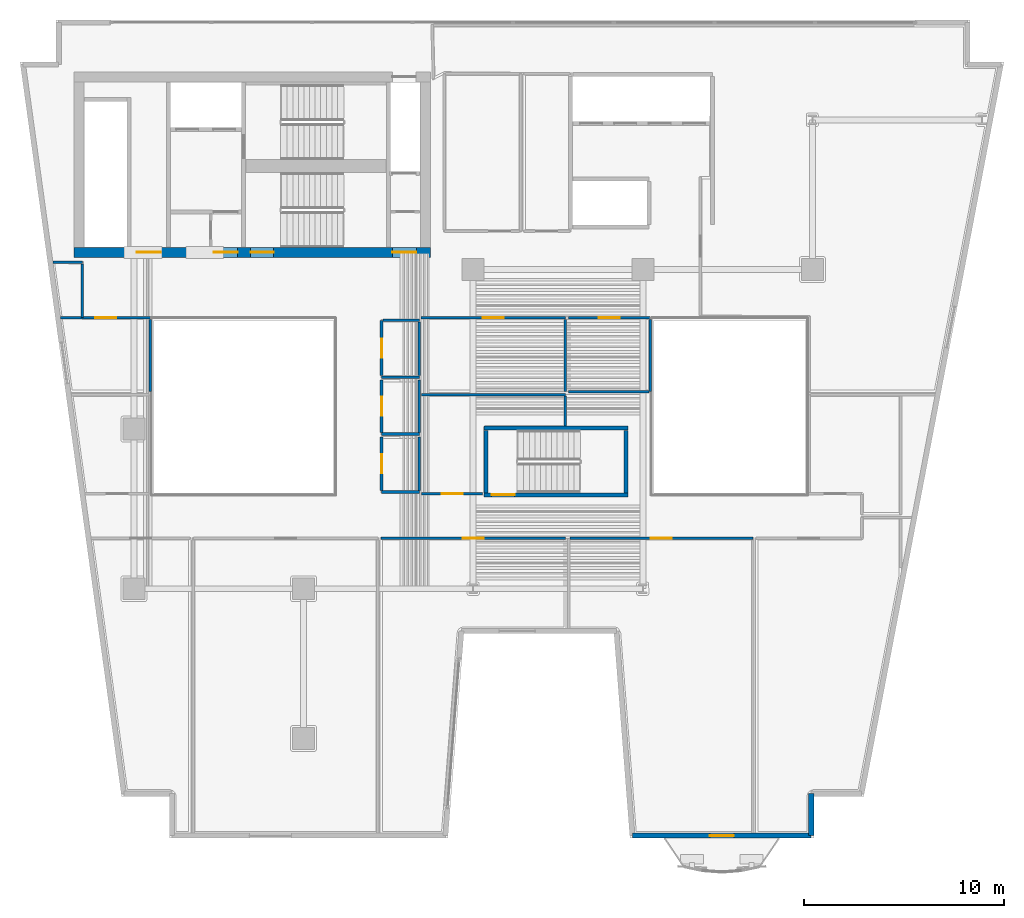
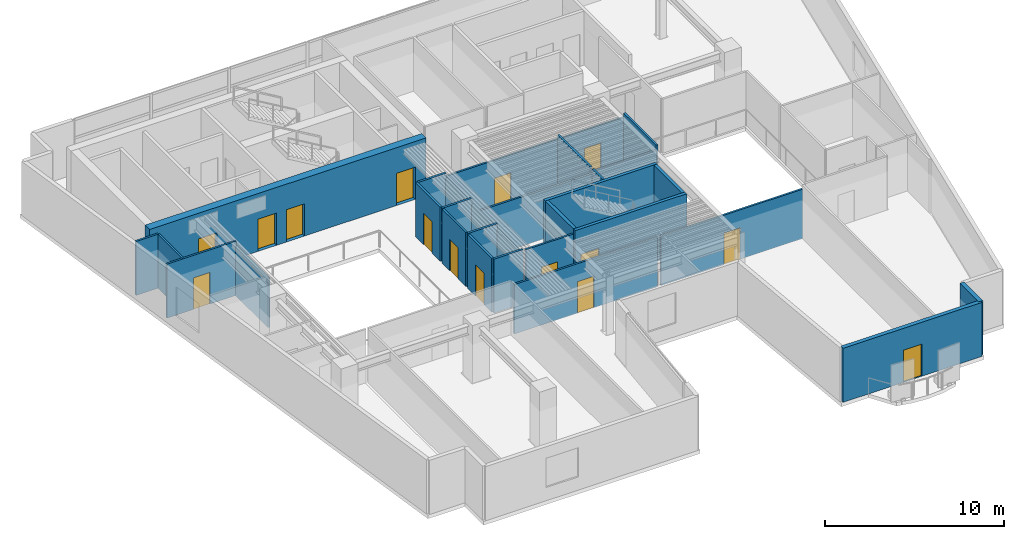
# One storey, part 6 of 13: 31 walls, 15 doors, 15 openings.
"""IFC4 building model written with IfcOpenShell, lengths in metres."""

from ifc_helpers import new_model, si_unit, direction, frame, frame_2d, origin, place, context, subcontext, project, spatial, rectangle, extrude, material, layer, layer_set, type_object, element, fill, save


model = new_model("IFC4")

# Units and contexts
model_context = context("Model", 3, precision=1e-05, world=origin(), true_north=direction((0.0, 1.0)))
body_context = subcontext(model_context, "Body", "Model", "MODEL_VIEW")
ifc_project = project(units=[si_unit("LENGTHUNIT", "METRE"), si_unit("AREAUNIT", "SQUARE_METRE"), si_unit("VOLUMEUNIT", "CUBIC_METRE"), si_unit("PLANEANGLEUNIT", "RADIAN"), si_unit("MASSUNIT", "GRAM", prefix="KILO")], contexts=[model_context])

# Site, building, storey
site_placement = place(None, origin())
site = spatial("IfcSite", under=ifc_project, at=site_placement, CompositionType="ELEMENT")
building_placement = place(site_placement, origin())
building = spatial("IfcBuilding", under=site, at=building_placement, Name="Caeloran Harvest Quay", CompositionType="ELEMENT")
storey_placement = place(building_placement, frame((0.0, 0.0, 158.800048828125)))
storey = spatial("IfcBuildingStorey", under=building, at=storey_placement, Name="L37", CompositionType="ELEMENT", Elevation=158.800048828125)

# Wall
ifc_material_1 = material(Name="Precast concrete C50/60", Category="concrete")
ifc_layer_1 = layer(ifc_material_1, 0.260009765625, Name="Precast concrete C50/60")
ifc_layer_set_1 = layer_set([ifc_layer_1], Name="Precast concrete C50/60")
wall_type_1 = type_object("IfcWallType", Name="ENV-WALL-EW-260", PredefinedType="STANDARD", material=ifc_layer_set_1)
wall_1_placement = place(storey_placement, frame((42.43994140625, 4.72998046875, 0.0), z_axis=(0.0, 0.0, 1.0), x_axis=(0.0, -1.0, 0.0)))
element("IfcWall", 1, at=wall_1_placement, inside=storey, type_object=wall_type_1, Name="L37 Exterior Precast Concrete Facade Wall 11", PredefinedType="STANDARD", context=body_context, shape_type="SweptSolid", body=[
    extrude(rectangle(XDim=2.10009765625, YDim=0.260009765625, at=frame_2d((1.050048828125, 0.0))), origin(), (0.0, 0.0, 1.0), 3.68994140625),
])

# Wall, opening, door
wall_2_placement = place(storey_placement, frame((42.43994140625, 2.6298828125, 0.0), z_axis=(0.0, 0.0, 1.0), x_axis=(-1.0, 0.0, 0.0)))
wall_2 = element("IfcWall", 2, at=wall_2_placement, inside=storey, type_object=wall_type_1, Name="L37 Exterior Precast Concrete Facade Wall 12", PredefinedType="STANDARD", context=body_context, shape_type="SweptSolid", body=[
    extrude(rectangle(XDim=8.96484375, YDim=0.260009765625, at=frame_2d((4.482421875, 0.0))), origin(), (0.0, 0.0, 1.0), 3.68994140625),
])
opening_1_placement = place(wall_2_placement, frame((3.882080078125, 0.0, 0.0)))
opening_1 = element("IfcOpeningElement", 3, at=opening_1_placement, cuts=wall_2, Name="Opening BD-01", PredefinedType="OPENING", context=body_context, shape_type="SweptSolid", body=[
    extrude(rectangle(XDim=1.199951171875, YDim=2.199951171875, at=frame_2d((0.60009765625, 1.10009765625))), frame((0.0, 0.14013671875, 0.0), z_axis=(0.0, -1.0, 0.0), x_axis=(1.0, 0.0, 0.0)), (0.0, 0.0, 1.0), 0.280029296875),
])
ifc_material_2 = material(Name="Thermally Broken Powder-Coated Aluminium and Safety Glass", Category="aluminium")
door_type_1 = type_object("IfcDoorType", Name="EXTDOOR-BD-01", OperationType="NOTDEFINED", PredefinedType="DOOR", material=ifc_material_2)
door_1_placement = place(opening_1_placement, origin())
door_1 = element("IfcDoor", 4, at=door_1_placement, inside=storey, type_object=door_type_1, Name="L37 Planted Balcony Glazed Access Door", OperationType="SINGLE_SWING_RIGHT", OverallHeight=2.199951171875, OverallWidth=1.199951171875, PredefinedType="DOOR", context=body_context, shape_type="SweptSolid", body=[
    extrude(rectangle(XDim=1.199951171875, YDim=2.199951171875, at=frame_2d((0.60009765625, 1.10009765625))), frame((0.0, 0.02490234375, 0.0), z_axis=(0.0, -1.0, 0.0), x_axis=(1.0, 0.0, 0.0)), (0.0, 0.0, 1.0), 0.050048828125),
])
fill(opening_1, door_1)

ifc_material_3 = material(Name="Twin-Stud Mineral-Wool Acoustic Gypsum Partition", Category="gypsum")
ifc_layer_2 = layer(ifc_material_3, 0.125, Name="Twin-Stud Mineral-Wool Acoustic Gypsum Partition")
ifc_layer_set_2 = layer_set([ifc_layer_2], Name="Twin-Stud Mineral-Wool Acoustic Gypsum Partition")
wall_type_2 = type_object("IfcWallType", Name="INT-WALL-PW-125", PredefinedType="PARTITIONING", material=ifc_layer_set_2)
wall_3_placement = place(storey_placement, frame((30.347412109375, 17.52001953125, 0.0), z_axis=(0.0, 0.0, 1.0), x_axis=(1.0, 0.0, 0.0)))
wall_3 = element("IfcWall", 5, at=wall_3_placement, inside=storey, type_object=wall_type_2, Name="Carbon Credit Seminar Room Partition Wall", PredefinedType="PARTITIONING", context=body_context, shape_type="SweptSolid", body=[
    extrude(rectangle(XDim=9.172607421875, YDim=0.125, at=frame_2d((4.58642578125, 0.0))), origin(), (0.0, 0.0, 1.0), 3.375),
])
opening_2_placement = place(wall_3_placement, frame((4.061279296875, 0.0, 0.0)))
opening_2 = element("IfcOpeningElement", 6, at=opening_2_placement, cuts=wall_3, Name="Opening ID-03", PredefinedType="OPENING", context=body_context, shape_type="SweptSolid", body=[
    extrude(rectangle(XDim=1.050048828125, YDim=2.14990234375, at=frame_2d((0.52490234375, 1.074951171875))), frame((0.0, 0.072509765625, 0.0), z_axis=(0.0, -1.0, 0.0), x_axis=(1.0, 0.0, 0.0)), (0.0, 0.0, 1.0), 0.14501953125),
])
ifc_material_4 = material(Name="FSC Solid-Core Oak Timber Leaf", Category="wood")
door_type_2 = type_object("IfcDoorType", Name="INTDOOR-ID-03", OperationType="NOTDEFINED", PredefinedType="DOOR", material=ifc_material_4)
door_2_placement = place(opening_2_placement, origin())
door_2 = element("IfcDoor", 7, at=door_2_placement, inside=storey, type_object=door_type_2, Name="Carbon Credit Seminar Room Access Door", OperationType="SINGLE_SWING_RIGHT", OverallHeight=2.14990234375, OverallWidth=1.050048828125, PredefinedType="DOOR", context=body_context, shape_type="SweptSolid", body=[
    extrude(rectangle(XDim=1.050048828125, YDim=2.14990234375, at=frame_2d((0.52490234375, 1.074951171875))), frame((0.0, 0.02490234375, 0.0), z_axis=(0.0, -1.0, 0.0), x_axis=(1.0, 0.0, 0.0)), (0.0, 0.0, 1.0), 0.050048828125),
])
fill(opening_2, door_2)

wall_4_placement = place(storey_placement, frame((20.8798828125, 17.52001953125, 0.0), z_axis=(0.0, 0.0, 1.0), x_axis=(1.0, 0.0, 0.0)))
wall_4 = element("IfcWall", 8, at=wall_4_placement, inside=storey, type_object=wall_type_2, Name="Hospitality Catering Kitchen Partition Wall", PredefinedType="PARTITIONING", context=body_context, shape_type="SweptSolid", body=[
    extrude(rectangle(XDim=9.240234375, YDim=0.125, at=frame_2d((4.6201171875, 0.0))), origin(), (0.0, 0.0, 1.0), 3.375),
])
opening_3_placement = place(wall_4_placement, frame((4.094970703125, 0.0, 0.0)))
opening_3 = element("IfcOpeningElement", 9, at=opening_3_placement, cuts=wall_4, Name="Opening ID-03", PredefinedType="OPENING", context=body_context, shape_type="SweptSolid", body=[
    extrude(rectangle(XDim=1.050048828125, YDim=2.14990234375, at=frame_2d((0.52490234375, 1.074951171875))), frame((0.0, 0.072509765625, 0.0), z_axis=(0.0, -1.0, 0.0), x_axis=(1.0, 0.0, 0.0)), (0.0, 0.0, 1.0), 0.14501953125),
])
door_3_placement = place(opening_3_placement, origin())
door_3 = element("IfcDoor", 10, at=door_3_placement, inside=storey, type_object=door_type_2, Name="Hospitality Catering Kitchen Access Door", OperationType="SINGLE_SWING_LEFT", OverallHeight=2.14990234375, OverallWidth=1.050048828125, PredefinedType="DOOR", context=body_context, shape_type="SweptSolid", body=[
    extrude(rectangle(XDim=1.050048828125, YDim=2.14990234375, at=frame_2d((0.52490234375, 1.074951171875))), frame((0.0, 0.02490234375, 0.0), z_axis=(0.0, -1.0, 0.0), x_axis=(1.0, 0.0, 0.0)), (0.0, 0.0, 1.0), 0.050048828125),
])
fill(opening_3, door_3)

wall_5_placement = place(storey_placement, frame((25.9755859375, 19.75, 0.0), z_axis=(0.0, 0.0, 1.0), x_axis=(-1.0, 0.0, 0.0)))
wall_5 = element("IfcWall", 11, at=wall_5_placement, inside=storey, type_object=wall_type_2, Name="Agro-Finance Summit Conference Hall 8 Partition Wall", PredefinedType="PARTITIONING", context=body_context, shape_type="SweptSolid", body=[
    extrude(rectangle(XDim=3.065673828125, YDim=0.125, at=frame_2d((1.53271484375, 0.0))), origin(), (0.0, 0.0, 1.0), 3.68994140625),
])
opening_4_placement = place(wall_5_placement, frame((1.0078125, 0.0, 0.0)))
opening_4 = element("IfcOpeningElement", 12, at=opening_4_placement, cuts=wall_5, Name="Opening ID-03", PredefinedType="OPENING", context=body_context, shape_type="SweptSolid", body=[
    extrude(rectangle(XDim=1.050048828125, YDim=2.14990234375, at=frame_2d((0.52490234375, 1.074951171875))), frame((0.0, 0.072509765625, 0.0), z_axis=(0.0, -1.0, 0.0), x_axis=(1.0, 0.0, 0.0)), (0.0, 0.0, 1.0), 0.14501953125),
])
door_4_placement = place(opening_4_placement, origin())
door_4 = element("IfcDoor", 13, at=door_4_placement, inside=storey, type_object=door_type_2, Name="Agro-Finance Summit Conference Hall 8 Access Door", OperationType="SINGLE_SWING_RIGHT", OverallHeight=2.14990234375, OverallWidth=1.050048828125, PredefinedType="DOOR", context=body_context, shape_type="SweptSolid", body=[
    extrude(rectangle(XDim=1.050048828125, YDim=2.14990234375, at=frame_2d((0.52490234375, 1.074951171875))), frame((0.0, 0.02490234375, 0.0), z_axis=(0.0, -1.0, 0.0), x_axis=(1.0, 0.0, 0.0)), (0.0, 0.0, 1.0), 0.050048828125),
])
fill(opening_4, door_4)

# Walls
wall_6_placement = place(storey_placement, frame((22.909912109375, 24.719970703125, 0.0), z_axis=(0.0, 0.0, 1.0), x_axis=(1.0, 0.0, 0.0)))
element("IfcWall", 14, at=wall_6_placement, inside=storey, type_object=wall_type_2, Name="Agro-Finance Summit Conference Hall 8 Partition Wall", PredefinedType="PARTITIONING", context=body_context, shape_type="SweptSolid", body=[
    extrude(rectangle(XDim=7.210205078125, YDim=0.125, at=frame_2d((3.60498046875, 0.0))), origin(), (0.0, 0.0, 1.0), 3.375),
])
wall_7_placement = place(storey_placement, frame((30.1201171875, 24.652587890625, 0.0), z_axis=(0.0, 0.0, 1.0), x_axis=(0.0, -1.0, 0.0)))
element("IfcWall", 15, at=wall_7_placement, inside=storey, type_object=wall_type_2, Name="Agro-Finance Summit Conference Hall 8 Partition Wall", PredefinedType="PARTITIONING", context=body_context, shape_type="SweptSolid", body=[
    extrude(rectangle(XDim=1.49755859375, YDim=0.125, at=frame_2d((0.748779296875, 0.0))), origin(), (0.0, 0.0, 1.0), 3.68994140625),
])

# Wall, opening, door
wall_8_placement = place(storey_placement, frame((22.889892578125, 28.570068359375, 0.0), z_axis=(0.0, 0.0, 1.0), x_axis=(1.0, 0.0, 0.0)))
wall_8 = element("IfcWall", 16, at=wall_8_placement, inside=storey, type_object=wall_type_2, Name="Carbon Credit Seminar Room 9 Partition Wall", PredefinedType="PARTITIONING", context=body_context, shape_type="SweptSolid", body=[
    extrude(rectangle(XDim=7.230224609375, YDim=0.125, at=frame_2d((3.615234375, 0.0))), origin(), (0.0, 0.0, 1.0), 3.375),
])
opening_5_placement = place(wall_8_placement, frame((3.090087890625, 0.0, 0.0)))
opening_5 = element("IfcOpeningElement", 17, at=opening_5_placement, cuts=wall_8, Name="Opening ID-03", PredefinedType="OPENING", context=body_context, shape_type="SweptSolid", body=[
    extrude(rectangle(XDim=1.050048828125, YDim=2.14990234375, at=frame_2d((0.52490234375, 1.074951171875))), frame((0.0, 0.072509765625, 0.0), z_axis=(0.0, -1.0, 0.0), x_axis=(1.0, 0.0, 0.0)), (0.0, 0.0, 1.0), 0.14501953125),
])
door_5_placement = place(opening_5_placement, origin())
door_5 = element("IfcDoor", 18, at=door_5_placement, inside=storey, type_object=door_type_2, Name="Carbon Credit Seminar Room 9 Access Door", OperationType="SINGLE_SWING_LEFT", OverallHeight=2.14990234375, OverallWidth=1.050048828125, PredefinedType="DOOR", context=body_context, shape_type="SweptSolid", body=[
    extrude(rectangle(XDim=1.050048828125, YDim=2.14990234375, at=frame_2d((0.52490234375, 1.074951171875))), frame((0.0, 0.02490234375, 0.0), z_axis=(0.0, -1.0, 0.0), x_axis=(1.0, 0.0, 0.0)), (0.0, 0.0, 1.0), 0.050048828125),
])
fill(opening_5, door_5)

# Wall
wall_9_placement = place(storey_placement, frame((30.1201171875, 28.50244140625, 0.0), z_axis=(0.0, 0.0, 1.0), x_axis=(0.0, -1.0, 0.0)))
element("IfcWall", 19, at=wall_9_placement, inside=storey, type_object=wall_type_2, Name="Carbon Credit Seminar Room 9 Partition Wall", PredefinedType="PARTITIONING", context=body_context, shape_type="SweptSolid", body=[
    extrude(rectangle(XDim=3.62255859375, YDim=0.125, at=frame_2d((1.811279296875, 0.0))), origin(), (0.0, 0.0, 1.0), 3.68994140625),
])

# Wall, opening, door
wall_10_placement = place(storey_placement, frame((30.280029296875, 28.570068359375, 0.0), z_axis=(0.0, 0.0, 1.0), x_axis=(1.0, 0.0, 0.0)))
wall_10 = element("IfcWall", 20, at=wall_10_placement, inside=storey, type_object=wall_type_2, Name="Commodities Briefing Boardroom 10 Partition Wall", PredefinedType="PARTITIONING", context=body_context, shape_type="SweptSolid", body=[
    extrude(rectangle(XDim=4.090087890625, YDim=0.125, at=frame_2d((2.044921875, 0.0))), origin(), (0.0, 0.0, 1.0), 3.375),
])
opening_6_placement = place(wall_10_placement, frame((1.52001953125, 0.0, 0.0)))
opening_6 = element("IfcOpeningElement", 21, at=opening_6_placement, cuts=wall_10, Name="Opening ID-03", PredefinedType="OPENING", context=body_context, shape_type="SweptSolid", body=[
    extrude(rectangle(XDim=1.050048828125, YDim=2.14990234375, at=frame_2d((0.52490234375, 1.074951171875))), frame((0.0, 0.072509765625, 0.0), z_axis=(0.0, -1.0, 0.0), x_axis=(1.0, 0.0, 0.0)), (0.0, 0.0, 1.0), 0.14501953125),
])
door_6_placement = place(opening_6_placement, origin())
door_6 = element("IfcDoor", 22, at=door_6_placement, inside=storey, type_object=door_type_2, Name="Commodities Briefing Boardroom 10 Access Door", OperationType="SINGLE_SWING_RIGHT", OverallHeight=2.14990234375, OverallWidth=1.050048828125, PredefinedType="DOOR", context=body_context, shape_type="SweptSolid", body=[
    extrude(rectangle(XDim=1.050048828125, YDim=2.14990234375, at=frame_2d((0.52490234375, 1.074951171875))), frame((0.0, 0.02490234375, 0.0), z_axis=(0.0, -1.0, 0.0), x_axis=(1.0, 0.0, 0.0)), (0.0, 0.0, 1.0), 0.050048828125),
])
fill(opening_6, door_6)

# Walls
wall_11_placement = place(storey_placement, frame((34.3701171875, 28.50244140625, 0.0), z_axis=(0.0, 0.0, 1.0), x_axis=(0.0, -1.0, 0.0)))
element("IfcWall", 23, at=wall_11_placement, inside=storey, type_object=wall_type_2, Name="Commodities Briefing Boardroom 10 Partition Wall", PredefinedType="PARTITIONING", context=body_context, shape_type="SweptSolid", body=[
    extrude(rectangle(XDim=3.62255859375, YDim=0.125, at=frame_2d((1.811279296875, 0.0))), origin(), (0.0, 0.0, 1.0), 3.68994140625),
])
wall_12_placement = place(storey_placement, frame((34.302490234375, 24.8798828125, 0.0), z_axis=(0.0, 0.0, 1.0), x_axis=(-1.0, 0.0, 0.0)))
element("IfcWall", 24, at=wall_12_placement, inside=storey, type_object=wall_type_2, Name="Commodities Briefing Boardroom 10 Partition Wall", PredefinedType="PARTITIONING", context=body_context, shape_type="SweptSolid", body=[
    extrude(rectangle(XDim=4.0224609375, YDim=0.125, at=frame_2d((2.01123046875, 0.0))), origin(), (0.0, 0.0, 1.0), 3.375),
])
wall_13_placement = place(storey_placement, frame((4.44775390625, 31.35009765625, 0.0), z_axis=(0.0, 0.0, 1.0), x_axis=(1.0, 0.0, 0.0)))
element("IfcWall", 25, at=wall_13_placement, inside=storey, type_object=wall_type_2, Name="Investor Espresso Kitchen 11 Partition Wall", PredefinedType="PARTITIONING", context=body_context, shape_type="SweptSolid", body=[
    extrude(rectangle(XDim=1.47216796875, YDim=0.125, at=frame_2d((0.736083984375, 0.0))), origin(), (0.0, 0.0, 1.0), 3.68994140625),
])
wall_14_placement = place(storey_placement, frame((5.919921875, 31.282470703125, 0.0), z_axis=(0.0, 0.0, 1.0), x_axis=(0.0, -1.0, 0.0)))
element("IfcWall", 26, at=wall_14_placement, inside=storey, type_object=wall_type_2, Name="Investor Espresso Kitchen 11 Partition Wall", PredefinedType="PARTITIONING", context=body_context, shape_type="SweptSolid", body=[
    extrude(rectangle(XDim=2.682373046875, YDim=0.125, at=frame_2d((1.34130859375, 0.0))), origin(), (0.0, 0.0, 1.0), 3.68994140625),
])

# Wall, opening, door
wall_15_placement = place(storey_placement, frame((4.832275390625, 28.570068359375, 0.0), z_axis=(0.0, 0.0, 1.0), x_axis=(1.0, 0.0, 0.0)))
wall_15 = element("IfcWall", 27, at=wall_15_placement, inside=storey, type_object=wall_type_2, Name="Investor Espresso Kitchen 11 Partition Wall", PredefinedType="PARTITIONING", context=body_context, shape_type="SweptSolid", body=[
    extrude(rectangle(XDim=4.48779296875, YDim=0.125, at=frame_2d((2.243896484375, 0.0))), origin(), (0.0, 0.0, 1.0), 3.68994140625),
])
opening_7_placement = place(wall_15_placement, frame((1.718994140625, 0.0, 0.0)))
opening_7 = element("IfcOpeningElement", 28, at=opening_7_placement, cuts=wall_15, Name="Opening ID-03", PredefinedType="OPENING", context=body_context, shape_type="SweptSolid", body=[
    extrude(rectangle(XDim=1.050048828125, YDim=2.14990234375, at=frame_2d((0.52490234375, 1.074951171875))), frame((0.0, 0.072509765625, 0.0), z_axis=(0.0, -1.0, 0.0), x_axis=(1.0, 0.0, 0.0)), (0.0, 0.0, 1.0), 0.14501953125),
])
door_7_placement = place(opening_7_placement, origin())
door_7 = element("IfcDoor", 29, at=door_7_placement, inside=storey, type_object=door_type_2, Name="Investor Espresso Kitchen 11 Access Door", OperationType="SINGLE_SWING_LEFT", OverallHeight=2.14990234375, OverallWidth=1.050048828125, PredefinedType="DOOR", context=body_context, shape_type="SweptSolid", body=[
    extrude(rectangle(XDim=1.050048828125, YDim=2.14990234375, at=frame_2d((0.52490234375, 1.074951171875))), frame((0.0, 0.02490234375, 0.0), z_axis=(0.0, -1.0, 0.0), x_axis=(1.0, 0.0, 0.0)), (0.0, 0.0, 1.0), 0.050048828125),
])
fill(opening_7, door_7)

# Walls
wall_16_placement = place(storey_placement, frame((9.320068359375, 28.50244140625, 0.0), z_axis=(0.0, 0.0, 1.0), x_axis=(0.0, -1.0, 0.0)))
element("IfcWall", 30, at=wall_16_placement, inside=storey, type_object=wall_type_2, Name="Investor Espresso Kitchen 11 Partition Wall", PredefinedType="PARTITIONING", context=body_context, shape_type="SweptSolid", body=[
    extrude(rectangle(XDim=3.62255859375, YDim=0.125, at=frame_2d((1.811279296875, 0.0))), origin(), (0.0, 0.0, 1.0), 3.375),
])
ifc_material_5 = material(Name="Moisture-Resistant Cement-Board Sanitary Partition", Category="gypsum")
ifc_layer_3 = layer(ifc_material_5, 0.139892578125, Name="Moisture-Resistant Cement-Board Sanitary Partition")
ifc_layer_set_3 = layer_set([ifc_layer_3], Name="Moisture-Resistant Cement-Board Sanitary Partition")
wall_type_3 = type_object("IfcWallType", Name="INT-WALL-PW-140", PredefinedType="PARTITIONING", material=ifc_layer_set_3)
wall_17_placement = place(storey_placement, frame((22.800048828125, 25.60009765625, 0.0), z_axis=(0.0, 0.0, 1.0), x_axis=(-1.0, 0.0, 0.0)))
element("IfcWall", 31, at=wall_17_placement, inside=storey, type_object=wall_type_3, Name="L37 Male Washroom WC Partition Wall", PredefinedType="PARTITIONING", context=body_context, shape_type="SweptSolid", body=[
    extrude(rectangle(XDim=1.89013671875, YDim=0.139892578125, at=frame_2d((0.945068359375, 0.0))), origin(), (0.0, 0.0, 1.0), 3.68994140625),
])

# Wall, opening, door
wall_18_placement = place(storey_placement, frame((20.909912109375, 25.675048828125, 0.0), z_axis=(0.0, 0.0, 1.0), x_axis=(0.0, 1.0, 0.0)))
wall_18 = element("IfcWall", 32, at=wall_18_placement, inside=storey, type_object=wall_type_3, Name="L37 Male Washroom WC Partition Wall", PredefinedType="PARTITIONING", context=body_context, shape_type="SweptSolid", body=[
    extrude(rectangle(XDim=2.77490234375, YDim=0.139892578125, at=frame_2d((1.387451171875, 0.0))), origin(), (0.0, 0.0, 1.0), 3.68994140625),
])
opening_8_placement = place(wall_18_placement, frame((0.91259765625, 0.0, 0.0)))
opening_8 = element("IfcOpeningElement", 33, at=opening_8_placement, cuts=wall_18, Name="Opening WC-01", PredefinedType="OPENING", context=body_context, shape_type="SweptSolid", body=[
    extrude(rectangle(XDim=0.949951171875, YDim=2.14990234375, at=frame_2d((0.47509765625, 1.074951171875))), frame((0.0, 0.080078125, 0.0), z_axis=(0.0, -1.0, 0.0), x_axis=(1.0, 0.0, 0.0)), (0.0, 0.0, 1.0), 0.159912109375),
])
ifc_material_6 = material(Name="High-Pressure Laminate Moisture-Resistant Timber", Category="wood")
door_type_3 = type_object("IfcDoorType", Name="INTDOOR-WC-01", OperationType="NOTDEFINED", PredefinedType="DOOR", material=ifc_material_6)
door_8_placement = place(opening_8_placement, origin())
door_8 = element("IfcDoor", 34, at=door_8_placement, inside=storey, type_object=door_type_3, Name="L37 Male Washroom WC Access Door", OperationType="SINGLE_SWING_RIGHT", OverallHeight=2.14990234375, OverallWidth=0.949951171875, PredefinedType="DOOR", context=body_context, shape_type="SweptSolid", body=[
    extrude(rectangle(XDim=0.949951171875, YDim=2.14990234375, at=frame_2d((0.47509765625, 1.074951171875))), frame((0.0, 0.02490234375, 0.0), z_axis=(0.0, -1.0, 0.0), x_axis=(1.0, 0.0, 0.0)), (0.0, 0.0, 1.0), 0.050048828125),
])
fill(opening_8, door_8)

# Walls
wall_19_placement = place(storey_placement, frame((20.985107421875, 28.449951171875, 0.0), z_axis=(0.0, 0.0, 1.0), x_axis=(1.0, 0.0, 0.0)))
element("IfcWall", 35, at=wall_19_placement, inside=storey, type_object=wall_type_3, Name="L37 Male Washroom WC Partition Wall", PredefinedType="PARTITIONING", context=body_context, shape_type="SweptSolid", body=[
    extrude(rectangle(XDim=1.81494140625, YDim=0.139892578125, at=frame_2d((0.907470703125, 0.0))), origin(), (0.0, 0.0, 1.0), 3.68994140625),
])
wall_20_placement = place(storey_placement, frame((22.800048828125, 28.375, 0.0), z_axis=(0.0, 0.0, 1.0), x_axis=(0.0, -1.0, 0.0)))
element("IfcWall", 36, at=wall_20_placement, inside=storey, type_object=wall_type_3, Name="L37 Male Washroom WC Partition Wall", PredefinedType="PARTITIONING", context=body_context, shape_type="SweptSolid", body=[
    extrude(rectangle(XDim=2.699951171875, YDim=0.139892578125, at=frame_2d((1.35009765625, 0.0))), origin(), (0.0, 0.0, 1.0), 3.375),
])
wall_21_placement = place(storey_placement, frame((22.800048828125, 22.75, 0.0), z_axis=(0.0, 0.0, 1.0), x_axis=(-1.0, 0.0, 0.0)))
element("IfcWall", 37, at=wall_21_placement, inside=storey, type_object=wall_type_3, Name="L37 Female Washroom WC Partition Wall", PredefinedType="PARTITIONING", context=body_context, shape_type="SweptSolid", body=[
    extrude(rectangle(XDim=1.89013671875, YDim=0.139892578125, at=frame_2d((0.945068359375, 0.0))), origin(), (0.0, 0.0, 1.0), 3.68994140625),
])

# Wall, opening, door
wall_22_placement = place(storey_placement, frame((20.909912109375, 22.824951171875, 0.0), z_axis=(0.0, 0.0, 1.0), x_axis=(0.0, 1.0, 0.0)))
wall_22 = element("IfcWall", 38, at=wall_22_placement, inside=storey, type_object=wall_type_3, Name="L37 Female Washroom WC Partition Wall", PredefinedType="PARTITIONING", context=body_context, shape_type="SweptSolid", body=[
    extrude(rectangle(XDim=2.625, YDim=0.139892578125, at=frame_2d((1.3125, 0.0))), origin(), (0.0, 0.0, 1.0), 3.68994140625),
])
opening_9_placement = place(wall_22_placement, frame((0.83740234375, 0.0, 0.0)))
opening_9 = element("IfcOpeningElement", 39, at=opening_9_placement, cuts=wall_22, Name="Opening WC-01", PredefinedType="OPENING", context=body_context, shape_type="SweptSolid", body=[
    extrude(rectangle(XDim=0.949951171875, YDim=2.14990234375, at=frame_2d((0.47509765625, 1.074951171875))), frame((0.0, 0.080078125, 0.0), z_axis=(0.0, -1.0, 0.0), x_axis=(1.0, 0.0, 0.0)), (0.0, 0.0, 1.0), 0.159912109375),
])
door_9_placement = place(opening_9_placement, origin())
door_9 = element("IfcDoor", 40, at=door_9_placement, inside=storey, type_object=door_type_3, Name="L37 Female Washroom WC Access Door", OperationType="SINGLE_SWING_LEFT", OverallHeight=2.14990234375, OverallWidth=0.949951171875, PredefinedType="DOOR", context=body_context, shape_type="SweptSolid", body=[
    extrude(rectangle(XDim=0.949951171875, YDim=2.14990234375, at=frame_2d((0.47509765625, 1.074951171875))), frame((0.0, 0.02490234375, 0.0), z_axis=(0.0, -1.0, 0.0), x_axis=(1.0, 0.0, 0.0)), (0.0, 0.0, 1.0), 0.050048828125),
])
fill(opening_9, door_9)

# Walls
wall_23_placement = place(storey_placement, frame((22.800048828125, 25.449951171875, 0.0), z_axis=(0.0, 0.0, 1.0), x_axis=(0.0, -1.0, 0.0)))
element("IfcWall", 41, at=wall_23_placement, inside=storey, type_object=wall_type_3, Name="L37 Female Washroom WC Partition Wall", PredefinedType="PARTITIONING", context=body_context, shape_type="SweptSolid", body=[
    extrude(rectangle(XDim=2.625, YDim=0.139892578125, at=frame_2d((1.3125, 0.0))), origin(), (0.0, 0.0, 1.0), 3.375),
])
wall_24_placement = place(storey_placement, frame((22.800048828125, 19.85009765625, 0.0), z_axis=(0.0, 0.0, 1.0), x_axis=(-1.0, 0.0, 0.0)))
element("IfcWall", 42, at=wall_24_placement, inside=storey, type_object=wall_type_3, Name="L37 Accessible Unisex Washroom WC Partition Wall", PredefinedType="PARTITIONING", context=body_context, shape_type="SweptSolid", body=[
    extrude(rectangle(XDim=1.89013671875, YDim=0.139892578125, at=frame_2d((0.945068359375, 0.0))), origin(), (0.0, 0.0, 1.0), 3.68994140625),
])

# Wall, opening, door
wall_25_placement = place(storey_placement, frame((20.909912109375, 19.925048828125, 0.0), z_axis=(0.0, 0.0, 1.0), x_axis=(0.0, 1.0, 0.0)))
wall_25 = element("IfcWall", 43, at=wall_25_placement, inside=storey, type_object=wall_type_3, Name="L37 Accessible Unisex Washroom WC Partition Wall", PredefinedType="PARTITIONING", context=body_context, shape_type="SweptSolid", body=[
    extrude(rectangle(XDim=2.675048828125, YDim=0.139892578125, at=frame_2d((1.33740234375, 0.0))), origin(), (0.0, 0.0, 1.0), 3.68994140625),
])
opening_10_placement = place(wall_25_placement, frame((0.862548828125, 0.0, 0.0)))
opening_10 = element("IfcOpeningElement", 44, at=opening_10_placement, cuts=wall_25, Name="Opening WC-01", PredefinedType="OPENING", context=body_context, shape_type="SweptSolid", body=[
    extrude(rectangle(XDim=0.949951171875, YDim=2.14990234375, at=frame_2d((0.47509765625, 1.074951171875))), frame((0.0, 0.080078125, 0.0), z_axis=(0.0, -1.0, 0.0), x_axis=(1.0, 0.0, 0.0)), (0.0, 0.0, 1.0), 0.159912109375),
])
door_10_placement = place(opening_10_placement, origin())
door_10 = element("IfcDoor", 45, at=door_10_placement, inside=storey, type_object=door_type_3, Name="L37 Accessible Unisex Washroom WC Access Door", OperationType="SINGLE_SWING_RIGHT", OverallHeight=2.14990234375, OverallWidth=0.949951171875, PredefinedType="DOOR", context=body_context, shape_type="SweptSolid", body=[
    extrude(rectangle(XDim=0.949951171875, YDim=2.14990234375, at=frame_2d((0.47509765625, 1.074951171875))), frame((0.0, 0.02490234375, 0.0), z_axis=(0.0, -1.0, 0.0), x_axis=(1.0, 0.0, 0.0)), (0.0, 0.0, 1.0), 0.050048828125),
])
fill(opening_10, door_10)

# Wall
wall_26_placement = place(storey_placement, frame((22.800048828125, 22.60009765625, 0.0), z_axis=(0.0, 0.0, 1.0), x_axis=(0.0, -1.0, 0.0)))
element("IfcWall", 46, at=wall_26_placement, inside=storey, type_object=wall_type_3, Name="L37 Accessible Unisex Washroom WC Partition Wall", PredefinedType="PARTITIONING", context=body_context, shape_type="SweptSolid", body=[
    extrude(rectangle(XDim=2.675048828125, YDim=0.139892578125, at=frame_2d((1.33740234375, 0.0))), origin(), (0.0, 0.0, 1.0), 3.375),
])

# Wall, openings, doors
ifc_material_7 = material(Name="Concrete C70/85", Category="concrete")
ifc_layer_4 = layer(ifc_material_7, 0.5, Name="Concrete C70/85")
ifc_layer_set_4 = layer_set([ifc_layer_4], Name="Concrete C70/85")
wall_type_4 = type_object("IfcWallType", Name="STR-WALL-CW-500", PredefinedType="SHEAR", material=ifc_layer_set_4)
wall_27_placement = place(storey_placement, frame((5.5, 31.85009765625, 0.0), z_axis=(0.0, 0.0, 1.0), x_axis=(1.0, 0.0, 0.0)))
wall_27 = element("IfcWall", 47, at=wall_27_placement, inside=storey, type_object=wall_type_4, Name="L37 Rear Core Shear Wall S", PredefinedType="SHEAR", context=body_context, shape_type="SweptSolid", body=[
    extrude(rectangle(XDim=17.85009765625, YDim=0.5, at=frame_2d((8.925048828125, 0.0))), origin(), (0.0, 0.0, 1.0), 3.949951171875),
])
opening_11_placement = place(wall_27_placement, frame((3.14990234375, 0.0, 0.0)))
opening_11 = element("IfcOpeningElement", 48, at=opening_11_placement, cuts=wall_27, Name="Opening FD-01", PredefinedType="OPENING", context=body_context, shape_type="SweptSolid", body=[
    extrude(rectangle(XDim=1.199951171875, YDim=2.199951171875, at=frame_2d((0.60009765625, 1.10009765625))), frame((0.0, 0.260009765625, 0.0), z_axis=(0.0, -1.0, 0.0), x_axis=(1.0, 0.0, 0.0)), (0.0, 0.0, 1.0), 0.52001953125),
])
opening_12_placement = place(wall_27_placement, frame((7.0, 0.0, 0.0)))
opening_12 = element("IfcOpeningElement", 49, at=opening_12_placement, cuts=wall_27, Name="Opening FD-01", PredefinedType="OPENING", context=body_context, shape_type="SweptSolid", body=[
    extrude(rectangle(XDim=1.199951171875, YDim=2.199951171875, at=frame_2d((0.60009765625, 1.10009765625))), frame((0.0, 0.260009765625, 0.0), z_axis=(0.0, -1.0, 0.0), x_axis=(1.0, 0.0, 0.0)), (0.0, 0.0, 1.0), 0.52001953125),
])
opening_13_placement = place(wall_27_placement, frame((8.85009765625, 0.0, 0.0)))
opening_13 = element("IfcOpeningElement", 50, at=opening_13_placement, cuts=wall_27, Name="Opening SD-01", PredefinedType="OPENING", context=body_context, shape_type="SweptSolid", body=[
    extrude(rectangle(XDim=1.14990234375, YDim=2.199951171875, at=frame_2d((0.574951171875, 1.10009765625))), frame((0.0, 0.260009765625, 0.0), z_axis=(0.0, -1.0, 0.0), x_axis=(1.0, 0.0, 0.0)), (0.0, 0.0, 1.0), 0.52001953125),
])
opening_14_placement = place(wall_27_placement, frame((15.949951171875, 0.0, 0.0)))
opening_14 = element("IfcOpeningElement", 51, at=opening_14_placement, cuts=wall_27, Name="Opening FD-01", PredefinedType="OPENING", context=body_context, shape_type="SweptSolid", body=[
    extrude(rectangle(XDim=1.199951171875, YDim=2.199951171875, at=frame_2d((0.60009765625, 1.10009765625))), frame((0.0, 0.260009765625, 0.0), z_axis=(0.0, -1.0, 0.0), x_axis=(1.0, 0.0, 0.0)), (0.0, 0.0, 1.0), 0.52001953125),
])
ifc_material_8 = material(Name="Steel", Category="steel")
door_type_4 = type_object("IfcDoorType", Name="INTDOOR-FD-01", OperationType="NOTDEFINED", PredefinedType="DOOR", material=ifc_material_8)
door_11_placement = place(opening_11_placement, origin())
door_11 = element("IfcDoor", 52, at=door_11_placement, inside=storey, type_object=door_type_4, Name="L37 High-Rise Lift Lobby Fire Door", OperationType="SINGLE_SWING_LEFT", OverallHeight=2.199951171875, OverallWidth=1.199951171875, PredefinedType="DOOR", context=body_context, shape_type="SweptSolid", body=[
    extrude(rectangle(XDim=1.199951171875, YDim=2.199951171875, at=frame_2d((0.60009765625, 1.10009765625))), frame((0.0, 0.02490234375, 0.0), z_axis=(0.0, -1.0, 0.0), x_axis=(1.0, 0.0, 0.0)), (0.0, 0.0, 1.0), 0.050048828125),
])
fill(opening_11, door_11)
door_12_placement = place(opening_12_placement, origin())
door_12 = element("IfcDoor", 53, at=door_12_placement, inside=storey, type_object=door_type_4, Name="L37 Firefighting Lobby Vestibule Fire Door", OperationType="SINGLE_SWING_RIGHT", OverallHeight=2.199951171875, OverallWidth=1.199951171875, PredefinedType="DOOR", context=body_context, shape_type="SweptSolid", body=[
    extrude(rectangle(XDim=1.199951171875, YDim=2.199951171875, at=frame_2d((0.60009765625, 1.10009765625))), frame((0.0, 0.02490234375, 0.0), z_axis=(0.0, -1.0, 0.0), x_axis=(1.0, 0.0, 0.0)), (0.0, 0.0, 1.0), 0.050048828125),
])
fill(opening_12, door_12)
door_13_placement = place(opening_14_placement, origin())
door_13 = element("IfcDoor", 54, at=door_13_placement, inside=storey, type_object=door_type_4, Name="L37 Service Lift Lobby Fire Door", OperationType="SINGLE_SWING_RIGHT", OverallHeight=2.199951171875, OverallWidth=1.199951171875, PredefinedType="DOOR", context=body_context, shape_type="SweptSolid", body=[
    extrude(rectangle(XDim=1.199951171875, YDim=2.199951171875, at=frame_2d((0.60009765625, 1.10009765625))), frame((0.0, 0.02490234375, 0.0), z_axis=(0.0, -1.0, 0.0), x_axis=(1.0, 0.0, 0.0)), (0.0, 0.0, 1.0), 0.050048828125),
])
fill(opening_14, door_13)
door_type_5 = type_object("IfcDoorType", Name="INTDOOR-SD-01", OperationType="NOTDEFINED", PredefinedType="DOOR", material=ifc_material_8)
door_14_placement = place(opening_13_placement, origin())
door_14 = element("IfcDoor", 55, at=door_14_placement, inside=storey, type_object=door_type_5, Name="L37 Protected Stair ST-C2 Exit Door", OperationType="SINGLE_SWING_LEFT", OverallHeight=2.199951171875, OverallWidth=1.14990234375, PredefinedType="DOOR", context=body_context, shape_type="SweptSolid", body=[
    extrude(rectangle(XDim=1.14990234375, YDim=2.199951171875, at=frame_2d((0.574951171875, 1.10009765625))), frame((0.0, 0.02490234375, 0.0), z_axis=(0.0, -1.0, 0.0), x_axis=(1.0, 0.0, 0.0)), (0.0, 0.0, 1.0), 0.050048828125),
])
fill(opening_13, door_14)

# Wall, opening, door
ifc_material_9 = material(Name="Concrete C60/75", Category="concrete")
ifc_layer_5 = layer(ifc_material_9, 0.199951171875, Name="Concrete C60/75")
ifc_layer_set_5 = layer_set([ifc_layer_5], Name="Concrete C60/75")
wall_type_5 = type_object("IfcWallType", Name="STR-WALL-SW-200", PredefinedType="SHEAR", material=ifc_layer_set_5)
wall_28_placement = place(storey_placement, frame((26.050048828125, 19.699951171875, 0.0), z_axis=(0.0, 0.0, 1.0), x_axis=(1.0, 0.0, 0.0)))
wall_28 = element("IfcWall", 56, at=wall_28_placement, inside=storey, type_object=wall_type_5, Name="L37 Stair ST-W1 S RC Shaft Shear Wall", PredefinedType="SHEAR", context=body_context, shape_type="SweptSolid", body=[
    extrude(rectangle(XDim=7.199951171875, YDim=0.199951171875, at=frame_2d((3.60009765625, 0.0))), origin(), (0.0, 0.0, 1.0), 3.949951171875),
])
opening_15_placement = place(wall_28_placement, frame((0.3798828125, 0.0, 0.0)))
opening_15 = element("IfcOpeningElement", 57, at=opening_15_placement, cuts=wall_28, Name="Opening SD-01", PredefinedType="OPENING", context=body_context, shape_type="SweptSolid", body=[
    extrude(rectangle(XDim=1.14990234375, YDim=2.199951171875, at=frame_2d((0.574951171875, 1.10009765625))), frame((0.0, 0.10986328125, 0.0), z_axis=(0.0, -1.0, 0.0), x_axis=(1.0, 0.0, 0.0)), (0.0, 0.0, 1.0), 0.219970703125),
])
door_15_placement = place(opening_15_placement, origin())
door_15 = element("IfcDoor", 58, at=door_15_placement, inside=storey, type_object=door_type_5, Name="L37 Protected Exit Stair ST-W1 Fire Door", OperationType="SINGLE_SWING_RIGHT", OverallHeight=2.199951171875, OverallWidth=1.14990234375, PredefinedType="DOOR", context=body_context, shape_type="SweptSolid", body=[
    extrude(rectangle(XDim=1.14990234375, YDim=2.199951171875, at=frame_2d((0.574951171875, 1.10009765625))), frame((0.0, 0.02490234375, 0.0), z_axis=(0.0, -1.0, 0.0), x_axis=(1.0, 0.0, 0.0)), (0.0, 0.0, 1.0), 0.050048828125),
])
fill(opening_15, door_15)

# Walls
wall_29_placement = place(storey_placement, frame((26.050048828125, 23.050048828125, 0.0), z_axis=(0.0, 0.0, 1.0), x_axis=(1.0, 0.0, 0.0)))
element("IfcWall", 59, at=wall_29_placement, inside=storey, type_object=wall_type_5, Name="L37 Stair ST-W1 N RC Shaft Shear Wall", PredefinedType="SHEAR", context=body_context, shape_type="SweptSolid", body=[
    extrude(rectangle(XDim=7.199951171875, YDim=0.199951171875, at=frame_2d((3.60009765625, 0.0))), origin(), (0.0, 0.0, 1.0), 3.949951171875),
])
for number, where, z_axis, x_axis, name in (
    (60, (26.14990234375, 19.81005859375, 0.0), (0.0, 0.0, 1.0), (0.0, 1.0, 0.0), "L37 Stair ST-W1 W RC Shaft Shear Wall"),
    (61, (33.14990234375, 19.81005859375, 0.0), (0.0, 0.0, 1.0), (0.0, 1.0, 0.0), "L37 Stair ST-W1 E RC Shaft Shear Wall"),
):
    element("IfcWall", number, at=place(storey_placement, frame(where, z_axis=z_axis, x_axis=x_axis)), inside=storey, type_object=wall_type_5, Name=name, PredefinedType="SHEAR", context=body_context, shape_type="SweptSolid", body=[
        extrude(rectangle(XDim=3.1298828125, YDim=0.199951171875, at=frame_2d((1.56494140625, 0.0))), origin(), (0.0, 0.0, 1.0), 3.949951171875),
    ])

save(model, "model.ifc")
